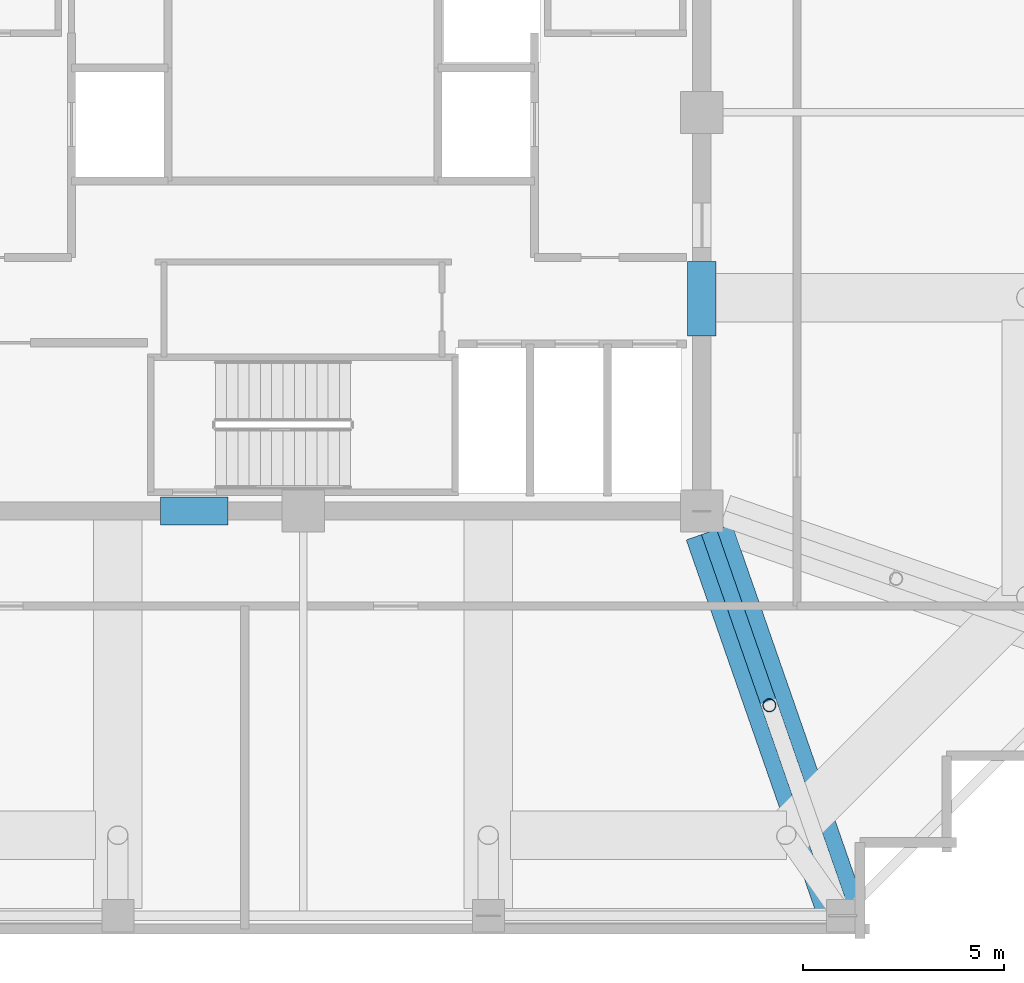
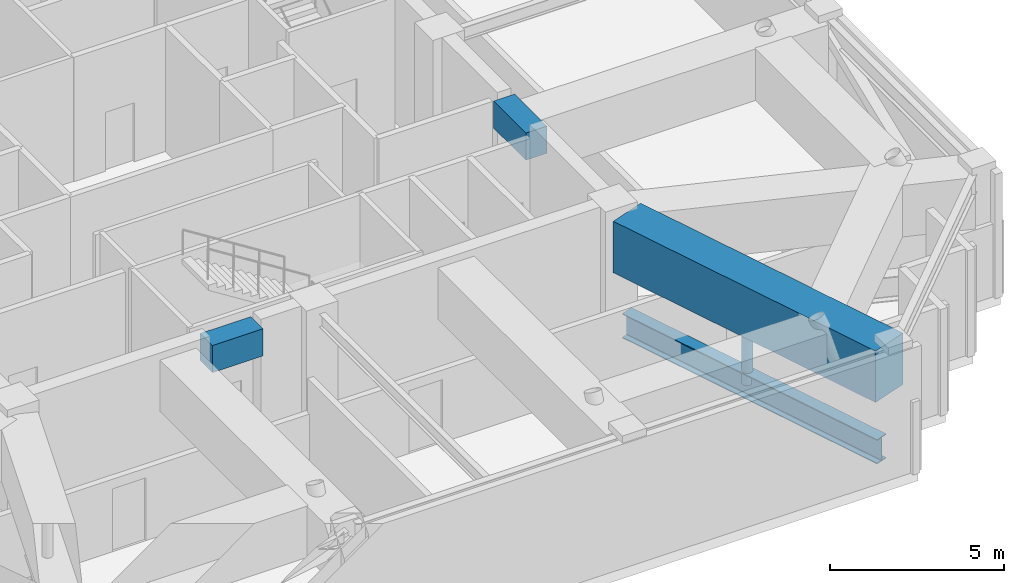
# One storey, part 3 of 14: 4 beams, 1 member.
"""IFC4 building model written with IfcOpenShell, lengths in metres."""

from ifc_helpers import new_model, si_unit, direction, frame, origin, origin_2d, place, context, subcontext, project, spatial, rectangle, hollow_circle, i_section, extrude, material, material_profile, profile_set, type_object, element, save


model = new_model("IFC4")

# Units and contexts
model_context = context("Model", 3, precision=1e-05, world=origin(), true_north=direction((0.0, 1.0)))
body_context = subcontext(model_context, "Body", "Model", "MODEL_VIEW")
ifc_project = project(units=[si_unit("LENGTHUNIT", "METRE"), si_unit("AREAUNIT", "SQUARE_METRE"), si_unit("VOLUMEUNIT", "CUBIC_METRE"), si_unit("PLANEANGLEUNIT", "RADIAN"), si_unit("MASSUNIT", "GRAM", prefix="KILO")], contexts=[model_context])

# Site, building, storey
site_placement = place(None, origin())
site = spatial("IfcSite", under=ifc_project, at=site_placement, CompositionType="ELEMENT")
building_placement = place(site_placement, origin())
building = spatial("IfcBuilding", under=site, at=building_placement, Name="Kolvaren Belvedere", CompositionType="ELEMENT")
storey_placement = place(building_placement, frame((0.0, 0.0, 232.800048828125)))
storey = spatial("IfcBuildingStorey", under=building, at=storey_placement, Name="L68", CompositionType="ELEMENT", Elevation=232.800048828125)

# Beams
ifc_material_1 = material(Name="Structural steel ASTM A992 Grade 50", Category="steel")
ifc_material_profile_1 = material_profile(ifc_material_1, i_section(OverallWidth=0.39990234375, OverallDepth=0.85595703125, WebThickness=0.018310546875, FlangeThickness=0.029296875, FilletRadius=0.02490234375, at=origin_2d()), Name="W33X201")
ifc_profile_set_1 = profile_set([ifc_material_profile_1], Name="Structural steel ASTM A992 Grade 50")
beam_type_1 = type_object("IfcBeamType", Name="BM-GIRD-W33X201", PredefinedType="BEAM", material=ifc_profile_set_1)
beam_1_placement = place(storey_placement, frame((10.080810546875, -10.41943359375, 0.47998046875), z_axis=(0.328892811986, -0.944367258128, 0.0), x_axis=(0.944367258128, 0.328892811986, 0.0)))
element("IfcBeam", 1, at=beam_1_placement, inside=storey, type_object=beam_type_1, Name="L68 Outrigger Truss Bottom Chord OB-3", PredefinedType="BEAM", context=body_context, shape_type="SweptSolid", body=[
    extrude(i_section(OverallWidth=0.39990234375, OverallDepth=0.85595703125, WebThickness=0.018310546875, FlangeThickness=0.029296875, FilletRadius=0.02490234375, at=origin_2d()), origin(), (0.0, 0.0, 1.0), 9.641845703125),
])
ifc_material_2 = material(Name="Concrete C60/75", Category="concrete")
ifc_material_profile_2 = material_profile(ifc_material_2, rectangle(XDim=0.699951171875, YDim=0.949951171875, at=origin_2d()), Name="RC 700X950")
ifc_profile_set_2 = profile_set([ifc_material_profile_2], Name="Concrete C60/75")
beam_type_2 = type_object("IfcBeamType", Name="BM-LINT-950", PredefinedType="LINTEL", material=ifc_profile_set_2)
beam_2_placement = place(storey_placement, frame((-3.5400390625, -9.89990234375, 3.875), z_axis=(1.0, 0.0, 0.0), x_axis=(0.0, 1.0, 0.0)))
element("IfcBeam", 2, at=beam_2_placement, inside=storey, type_object=beam_type_2, Name="L68 South Core Coupling Lintel", PredefinedType="LINTEL", context=body_context, shape_type="SweptSolid", body=[
    extrude(rectangle(XDim=0.699951171875, YDim=0.949951171875, at=origin_2d()), origin(), (0.0, 0.0, 1.0), 1.679931640625),
])
beam_3_placement = place(storey_placement, frame((9.89990234375, -5.550048828125, 3.875), z_axis=(0.0, 1.0, 0.0), x_axis=(-1.0, 0.0, 0.0)))
element("IfcBeam", 3, at=beam_3_placement, inside=storey, type_object=beam_type_2, Name="L68 East Core Coupling Lintel", PredefinedType="LINTEL", context=body_context, shape_type="SweptSolid", body=[
    extrude(rectangle(XDim=0.699951171875, YDim=0.949951171875, at=origin_2d()), origin(), (0.0, 0.0, 1.0), 1.85009765625),
])
ifc_material_3 = material(Name="Concrete C50/60", Category="concrete")
ifc_material_profile_3 = material_profile(ifc_material_3, rectangle(XDim=1.199951171875, YDim=1.800048828125, at=origin_2d()), Name="RC 1200X1800")
ifc_profile_set_3 = profile_set([ifc_material_profile_3], Name="Concrete C50/60")
beam_type_3 = type_object("IfcBeamType", Name="BM-TG-1800", PredefinedType="BEAM", material=ifc_profile_set_3)
beam_4_placement = place(storey_placement, frame((10.080810546875, -10.41943359375, 3.449951171875), z_axis=(0.328898147971, -0.944365399758, 0.0), x_axis=(0.944365399758, 0.328898147971, 0.0)))
element("IfcBeam", 4, at=beam_4_placement, inside=storey, type_object=beam_type_3, Name="L68 Corner Core-to-Perimeter Girder CC2-S4", PredefinedType="BEAM", context=body_context, shape_type="SweptSolid", body=[
    extrude(rectangle(XDim=1.199951171875, YDim=1.800048828125, at=origin_2d()), origin(), (0.0, 0.0, 1.0), 9.931884765625),
])

# Member
ifc_material_4 = material(Name="Structural steel ASTM A500 Grade C", Category="steel")
ifc_material_profile_4 = material_profile(ifc_material_4, hollow_circle(Radius=0.162109375, WallThickness=0.01171875, at=origin_2d()), Name="HSS12.750X0.500")
ifc_profile_set_4 = profile_set([ifc_material_profile_4], Name="Structural steel ASTM A500 Grade C")
member_type = type_object("IfcMemberType", Name="MB-CAN-POST", PredefinedType="POST", material=ifc_profile_set_4)
member_placement = place(storey_placement, frame((11.580078125, -14.72412109375, 0.47998046875), z_axis=(0.0, 0.0, 1.0), x_axis=(1.0, 0.0, 0.0)))
element("IfcMember", 5, at=member_placement, inside=storey, type_object=member_type, Name="L68 Outrigger Portal Post OP-3", PredefinedType="POST", context=body_context, shape_type="SweptSolid", body=[
    extrude(hollow_circle(Radius=0.162109375, WallThickness=0.01171875, at=origin_2d()), origin(), (0.0, 0.0, 1.0), 3.52001953125),
])

save(model, "model.ifc")
